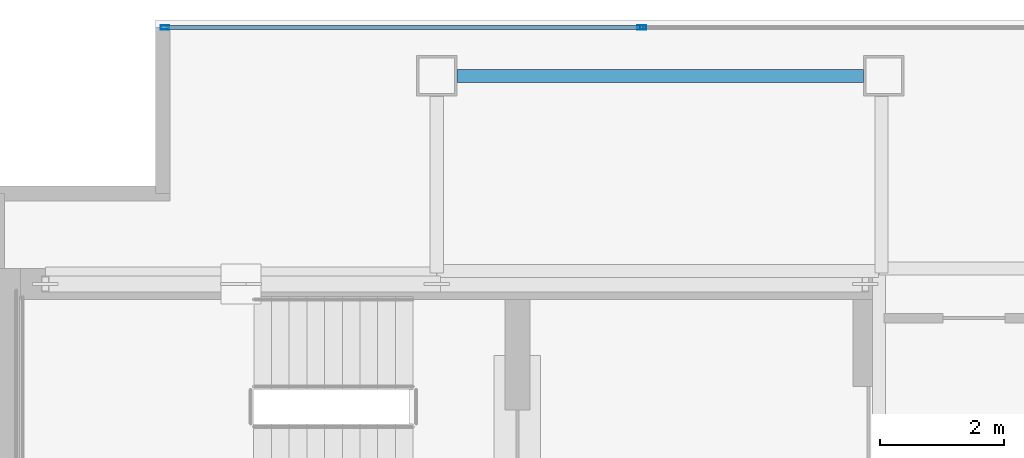
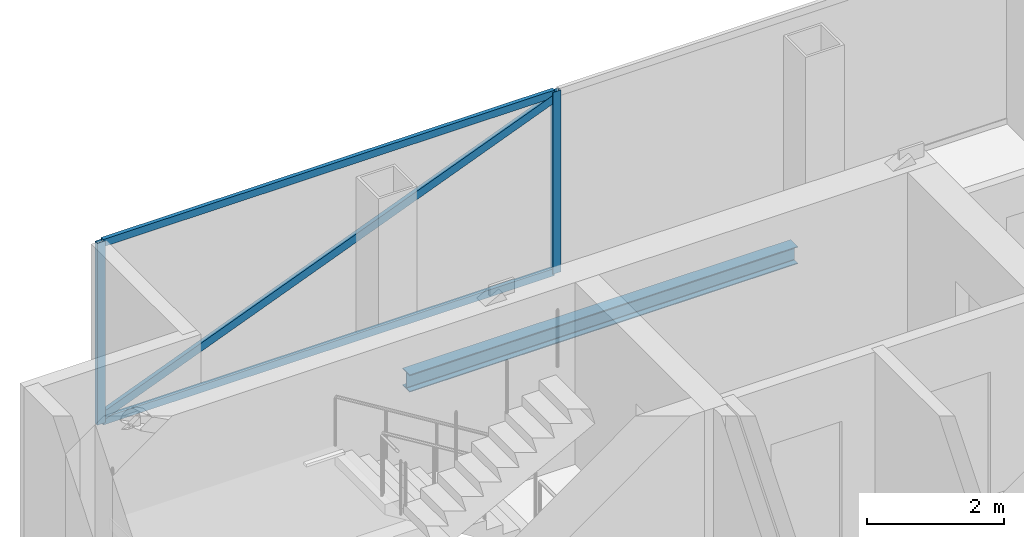
# One storey, part 17 of 23: 5 members, 1 beam, 1 element without a shape of its own.
"""IFC4 building model written with IfcOpenShell, lengths in metres."""

import ifcopenshell
import ifcopenshell.guid

model = None  # the IFC model being written
_history = None  # IfcOwnerHistory: only IFC2X3 demands one
_inside = {}  # id of a spatial element -> (the spatial element, [elements in it])
_under = {}  # id of a project, library or spatial element -> (it, [spatial elements below it])
_declared = {}  # id of a project -> (the project, [libraries it declares])
_typed = {}  # id of a type object -> (the type object, [elements of that type])
_made_of = {}  # id of a material, layer set ... -> (it, [elements and type objects made of it])


def new_model(schema):
    """Start an empty IFC model of exactly this schema.

    Asked for "IFC4X3", IfcOpenShell would pick the latest addendum, in which some entities
    have other attributes; the version numbers below select the first issue.
    IFC2X3 requires an IfcOwnerHistory on every rooted entity: one is made here for all.
    """
    global model, _history
    if schema == "IFC4X3":
        model = ifcopenshell.file(schema_version=(4, 3, 0, 0))
    else:
        model = ifcopenshell.file(schema=schema)
    _inside.clear()
    _under.clear()
    _declared.clear()
    _typed.clear()
    _made_of.clear()
    _history = None
    if model.schema == "IFC2X3":
        org = make("IfcOrganization", Name="unknown")
        user = make(
            "IfcPersonAndOrganization",
            ThePerson=make("IfcPerson", FamilyName="unknown"),
            TheOrganization=org,
        )
        app = make(
            "IfcApplication",
            ApplicationDeveloper=org,
            Version="unknown",
            ApplicationFullName="unknown",
            ApplicationIdentifier="unknown",
        )
        _history = make(
            "IfcOwnerHistory",
            OwningUser=user,
            OwningApplication=app,
            ChangeAction="ADDED",
            CreationDate=0,
        )
    return model


def make(cls, **values):
    """One entity of the class cls with the attributes given. An attribute that is None is left unset."""
    return model.create_entity(
        cls, **{name: value for name, value in values.items() if value is not None}
    )


def rooted(cls, **values):
    """An entity with a GlobalId (a new one), such as an element, a storey or a relation."""
    return make(cls, GlobalId=ifcopenshell.guid.new(), OwnerHistory=_history, **values)


def si_unit(unit_type, name, prefix=None):
    """IfcSIUnit, for example si_unit("LENGTHUNIT", "METRE", prefix="MILLI")."""
    return make("IfcSIUnit", UnitType=unit_type, Prefix=prefix, Name=name)


def assignment(units):
    """IfcUnitAssignment: the units of a project."""
    return None if units is None else make("IfcUnitAssignment", Units=units)


def point(xyz):
    """IfcCartesianPoint."""
    return None if xyz is None else make("IfcCartesianPoint", Coordinates=xyz)


def direction(xyz):
    """IfcDirection."""
    return None if xyz is None else make("IfcDirection", DirectionRatios=xyz)


def frame(location, z_axis=None, x_axis=None):
    """IfcAxis2Placement3D, a coordinate frame: its origin and axes. An axis left out is left unset."""
    return make(
        "IfcAxis2Placement3D",
        Location=point(location),
        Axis=direction(z_axis),
        RefDirection=direction(x_axis),
    )


def frame_2d(location, x_axis=None):
    """IfcAxis2Placement2D, a coordinate frame in the plane: its origin and x axis."""
    return make(
        "IfcAxis2Placement2D", Location=point(location), RefDirection=direction(x_axis)
    )


def origin():
    """The frame at (0, 0, 0) with its axes left unset."""
    return frame((0.0, 0.0, 0.0))


def origin_2d():
    """The frame at (0, 0) in the plane with its x axis left unset."""
    return frame_2d((0.0, 0.0))


def place(relative_to, where):
    """IfcLocalPlacement: puts the frame where relative to a parent placement (None: the world)."""
    return make(
        "IfcLocalPlacement", PlacementRelTo=relative_to, RelativePlacement=where
    )


def context(
    kind, dimensions, precision=None, world=None, true_north=None, identifier=None
):
    """IfcGeometricRepresentationContext, for example the 3D "Model" context."""
    return make(
        "IfcGeometricRepresentationContext",
        ContextIdentifier=identifier,
        ContextType=kind,
        CoordinateSpaceDimension=dimensions,
        Precision=precision,
        WorldCoordinateSystem=world,
        TrueNorth=true_north,
    )


def subcontext(parent, identifier, kind, view, scale=None):
    """IfcGeometricRepresentationSubContext, for example "Body" below "Model"."""
    return make(
        "IfcGeometricRepresentationSubContext",
        ContextIdentifier=identifier,
        ContextType=kind,
        ParentContext=parent,
        TargetScale=scale,
        TargetView=view,
    )


def project(units=None, contexts=None):
    """IfcProject with its units and contexts."""
    return rooted(
        "IfcProject",
        Name="project",
        RepresentationContexts=contexts,
        UnitsInContext=assignment(units),
    )


def spatial(cls, under=None, at=None, **own):
    """A site, building, storey or space (cls), placed at a placement, below another one or the project."""
    s = rooted(cls, ObjectPlacement=at, **own)
    if under is not None:
        _under.setdefault(under.id(), (under, []))[1].append(s)
    return s


def profile(cls, at=None, kind="AREA", **sizes):
    """A parametric profile (cls). Its sizes go by their IFC names, for example OverallWidth=200.0."""
    return make(cls, ProfileType=kind, Position=at, **sizes)


def hollow_rectangle(**sizes):
    """IfcRectangleHollowProfileDef."""
    return profile("IfcRectangleHollowProfileDef", **sizes)


def i_section(**sizes):
    """IfcIShapeProfileDef."""
    return profile("IfcIShapeProfileDef", **sizes)


def extrude(swept, where, along, depth):
    """IfcExtrudedAreaSolid: the profile swept, set in the frame where, extruded along a direction by depth."""
    return make(
        "IfcExtrudedAreaSolid",
        SweptArea=swept,
        Position=where,
        ExtrudedDirection=direction(along),
        Depth=depth,
    )


def shape(context_of_items, identifier, shape_type, items):
    """IfcShapeRepresentation: the items that make up one representation, for example the "Body"."""
    return make(
        "IfcShapeRepresentation",
        ContextOfItems=context_of_items,
        RepresentationIdentifier=identifier,
        RepresentationType=shape_type,
        Items=items,
    )


def material(Name=None, Category=None):
    """IfcMaterial."""
    return make("IfcMaterial", Name=Name, Category=Category)


def material_profile(
    of_material, cross_section, Name=None, Category=None, Priority=None
):
    """IfcMaterialProfile: a cross section and its material."""
    return make(
        "IfcMaterialProfile",
        Name=Name,
        Material=of_material,
        Profile=cross_section,
        Priority=Priority,
        Category=Category,
    )


def profile_set(profiles, Name=None, composite=None):
    """IfcMaterialProfileSet."""
    return make(
        "IfcMaterialProfileSet",
        Name=Name,
        MaterialProfiles=profiles,
        CompositeProfile=composite,
    )


def made_of(thing, what):
    """Note that an element or type object is made of a material, layer set ...; save() writes the relation."""
    if what is not None:
        _made_of.setdefault(what.id(), (what, []))[1].append(thing)
    return thing


def type_object(cls, material=None, **own):
    """A type object (cls), such as IfcWallType, which elements share."""
    return made_of(rooted(cls, **own), material)


def element(
    cls,
    number,
    at=None,
    inside=None,
    cuts=None,
    type_object=None,
    material=None,
    context=None,
    identifier="Body",
    shape_type=None,
    held_by="IfcProductDefinitionShape",
    body=None,
    shapes=None,
    **own,
):
    """One element of the class cls, such as IfcWall. Its Tag is "e" and its number.

    at: its placement. inside: the storey or other place that contains it. cuts: it is an
    opening in that element (IfcRelVoidsElement). A single representation is given by context,
    identifier, shape_type and body (its items); several are given by shapes. held_by: the class
    of the entity that holds the representations. save() writes the other relations.
    """
    e = rooted(cls, Tag="e%d" % number, ObjectPlacement=at, **own)
    if body is not None:
        shapes = [shape(context, identifier, shape_type, body)]
    if shapes is not None:
        e.Representation = make(held_by, Representations=shapes)
    if inside is not None:
        _inside.setdefault(inside.id(), (inside, []))[1].append(e)
    if cuts is not None:
        rooted(
            "IfcRelVoidsElement", RelatingBuildingElement=cuts, RelatedOpeningElement=e
        )
    if type_object is not None:
        _typed.setdefault(type_object.id(), (type_object, []))[1].append(e)
    return made_of(e, material)


def aggregate(whole, parts):
    """IfcRelAggregates: a whole, such as a stair, and the parts it consists of."""
    return rooted("IfcRelAggregates", RelatingObject=whole, RelatedObjects=parts)


def save(model, path):
    """Write the relations noted so far, then the file.

    IfcRelAggregates (storeys below a building ...), IfcRelContainedInSpatialStructure (elements
    in a storey), IfcRelDefinesByType, IfcRelAssociatesMaterial and IfcRelDeclares: one each for
    every whole, place, type object, material and project.
    """
    for whole, parts in _under.values():
        aggregate(whole, parts)
    for where, things in _inside.values():
        rooted(
            "IfcRelContainedInSpatialStructure",
            RelatedElements=things,
            RelatingStructure=where,
        )
    for kind, things in _typed.values():
        rooted("IfcRelDefinesByType", RelatedObjects=things, RelatingType=kind)
    for what, things in _made_of.values():
        rooted("IfcRelAssociatesMaterial", RelatedObjects=things, RelatingMaterial=what)
    for by, libraries in _declared.values():
        rooted("IfcRelDeclares", RelatingContext=by, RelatedDefinitions=libraries)
    model.write(path)


model = new_model("IFC4")

# Units and contexts
model_context = context("Model", 3, precision=1e-05, world=origin(), true_north=direction((0.0, 1.0)))
body_context = subcontext(model_context, "Body", "Model", "MODEL_VIEW")
ifc_project = project(units=[si_unit("LENGTHUNIT", "METRE"), si_unit("AREAUNIT", "SQUARE_METRE"), si_unit("VOLUMEUNIT", "CUBIC_METRE"), si_unit("PLANEANGLEUNIT", "RADIAN"), si_unit("MASSUNIT", "GRAM", prefix="KILO")], contexts=[model_context])

# Site, building, storey
site_placement = place(None, origin())
site = spatial("IfcSite", under=ifc_project, at=site_placement, CompositionType="ELEMENT")
building_placement = place(site_placement, origin())
building = spatial("IfcBuilding", under=site, at=building_placement, Name="Cobrela Telecom Tower", CompositionType="ELEMENT")
storey_placement = place(building_placement, frame((0.0, 0.0, 279.64990234375)))
storey = spatial("IfcBuildingStorey", under=building, at=storey_placement, Name="L73", CompositionType="ELEMENT", Elevation=279.64990234375)

# Beam
ifc_material_1 = material(Name="Steel ASTM A992 Grade 50", Category="steel")
ifc_material_profile_1 = material_profile(ifc_material_1, i_section(OverallWidth=0.205078125, OverallDepth=0.31005859375, WebThickness=0.009521484375, FlangeThickness=0.016357421875, FilletRadius=0.010986328125, at=origin_2d()), Name="W12X50")
ifc_profile_set_1 = profile_set([ifc_material_profile_1], Name="Steel ASTM A992 Grade 50")
beam_type = type_object("IfcBeamType", Name="BM-SPAND-07", PredefinedType="SPANDREL", material=ifc_profile_set_1)
beam_placement = place(storey_placement, frame((7.530029296875, 39.10009765625, -0.414794921875), z_axis=(1.0, 0.0, 0.0), x_axis=(0.0, 1.0, 0.0)))
element("IfcBeam", 1, at=beam_placement, inside=storey, type_object=beam_type, Name="L73 Perimeter Spandrel X19", PredefinedType="SPANDREL", context=body_context, shape_type="SweptSolid", body=[
    extrude(i_section(OverallWidth=0.205078125, OverallDepth=0.31005859375, WebThickness=0.009521484375, FlangeThickness=0.016357421875, FilletRadius=0.010986328125, at=origin_2d()), origin(), (0.0, 0.0, 1.0), 6.5400390625),
])

# Curtain wall, members
ifc_material_2 = material(Name="Anodized Bronze Aluminium 6063-T6", Category="aluminium")
curtain_wall_type = type_object("IfcCurtainWallType", Name="CW-SYS-OFF-HI", PredefinedType="USERDEFINED", material=ifc_material_2)
curtain_wall_placement = place(storey_placement, origin())
curtain_wall = element("IfcCurtainWall", 2, at=curtain_wall_placement, inside=storey, type_object=curtain_wall_type, Name="L73 Unitised Bronze Curtain Wall 05", ObjectType="UNITISED CURTAIN WALL", PredefinedType="USERDEFINED")
ifc_material_profile_2 = material_profile(ifc_material_2, hollow_rectangle(XDim=0.070068359375, YDim=0.139892578125, WallThickness=0.00390625, at=origin_2d()), Name="ALU 70x140x4")
ifc_profile_set_2 = profile_set([ifc_material_profile_2], Name="Anodized Bronze Aluminium 6063-T6")
member_type_1 = type_object("IfcMemberType", Name="CW-SYS-OFF-HI-MUL", PredefinedType="MULLION", material=ifc_profile_set_2)
member_1_placement = place(storey_placement, frame((2.824951171875, 39.8798828125, 0.0), z_axis=(0.0, 0.0, 1.0), x_axis=(0.0, 1.0, 0.0)))
member_1 = element("IfcMember", 3, at=member_1_placement, type_object=member_type_1, Name="CW-OFF-HI mullion 1", PredefinedType="MULLION", context=body_context, shape_type="SweptSolid", body=[
    extrude(hollow_rectangle(XDim=0.070068359375, YDim=0.139892578125, WallThickness=0.00390625, at=origin_2d()), origin(), (0.0, 0.0, 1.0), 3.239990234375),
])
member_2_placement = place(storey_placement, frame((10.5, 39.8798828125, 0.0), z_axis=(0.0, 0.0, 1.0), x_axis=(0.0, 1.0, 0.0)))
member_2 = element("IfcMember", 4, at=member_2_placement, type_object=member_type_1, Name="CW-OFF-HI mullion 2", PredefinedType="MULLION", context=body_context, shape_type="SweptSolid", body=[
    extrude(hollow_rectangle(XDim=0.070068359375, YDim=0.139892578125, WallThickness=0.00390625, at=origin_2d()), origin(), (0.0, 0.0, 1.0), 3.239990234375),
])
member_3_placement = place(storey_placement, frame((2.7900390625, 39.8798828125, 0.10009765625), z_axis=(0.930293886169, 0.0, 0.366815056066), x_axis=(0.0, 1.0, 0.0)))
member_3 = element("IfcMember", 5, at=member_3_placement, type_object=member_type_1, Name="L73 Faceted Curtain Wall Diagonal Glazing Mullion", PredefinedType="MULLION", context=body_context, shape_type="SweptSolid", body=[
    extrude(hollow_rectangle(XDim=0.070068359375, YDim=0.139892578125, WallThickness=0.00390625, at=origin_2d()), origin(), (0.0, 0.0, 1.0), 8.28759765625),
])
ifc_material_profile_3 = material_profile(ifc_material_2, hollow_rectangle(XDim=0.06494140625, YDim=0.1298828125, WallThickness=0.00390625, at=origin_2d()), Name="ALU 65x130x4")
ifc_profile_set_3 = profile_set([ifc_material_profile_3], Name="Anodized Bronze Aluminium 6063-T6")
member_type_2 = type_object("IfcMemberType", Name="CW-SYS-OFF-HI-TRN", PredefinedType="USERDEFINED", material=ifc_profile_set_3)
member_4_placement = place(storey_placement, frame((2.860107421875, 39.8798828125, 0.03271484375), z_axis=(1.0, 0.0, 0.0), x_axis=(0.0, 1.0, 0.0)))
member_4 = element("IfcMember", 6, at=member_4_placement, type_object=member_type_2, Name="CW-OFF-HI transom 1.1", ObjectType="TRANSOM", PredefinedType="USERDEFINED", context=body_context, shape_type="SweptSolid", body=[
    extrude(hollow_rectangle(XDim=0.06494140625, YDim=0.1298828125, WallThickness=0.00390625, at=origin_2d()), origin(), (0.0, 0.0, 1.0), 7.60498046875),
])
member_5_placement = place(storey_placement, frame((2.860107421875, 39.8798828125, 3.20751953125), z_axis=(1.0, 0.0, 0.0), x_axis=(0.0, 1.0, 0.0)))
member_5 = element("IfcMember", 7, at=member_5_placement, type_object=member_type_2, Name="CW-OFF-HI transom 1.2", ObjectType="TRANSOM", PredefinedType="USERDEFINED", context=body_context, shape_type="SweptSolid", body=[
    extrude(hollow_rectangle(XDim=0.06494140625, YDim=0.1298828125, WallThickness=0.00390625, at=origin_2d()), origin(), (0.0, 0.0, 1.0), 7.60498046875),
])
aggregate(curtain_wall, [member_1, member_2, member_4, member_5, member_3])

save(model, "model.ifc")
